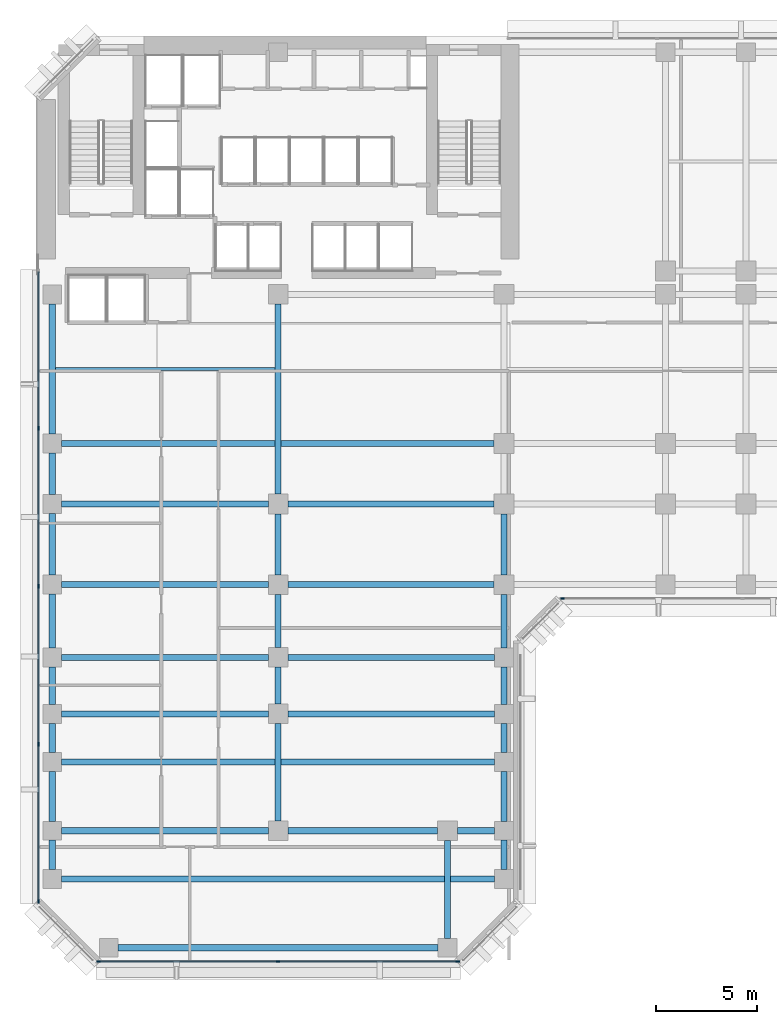
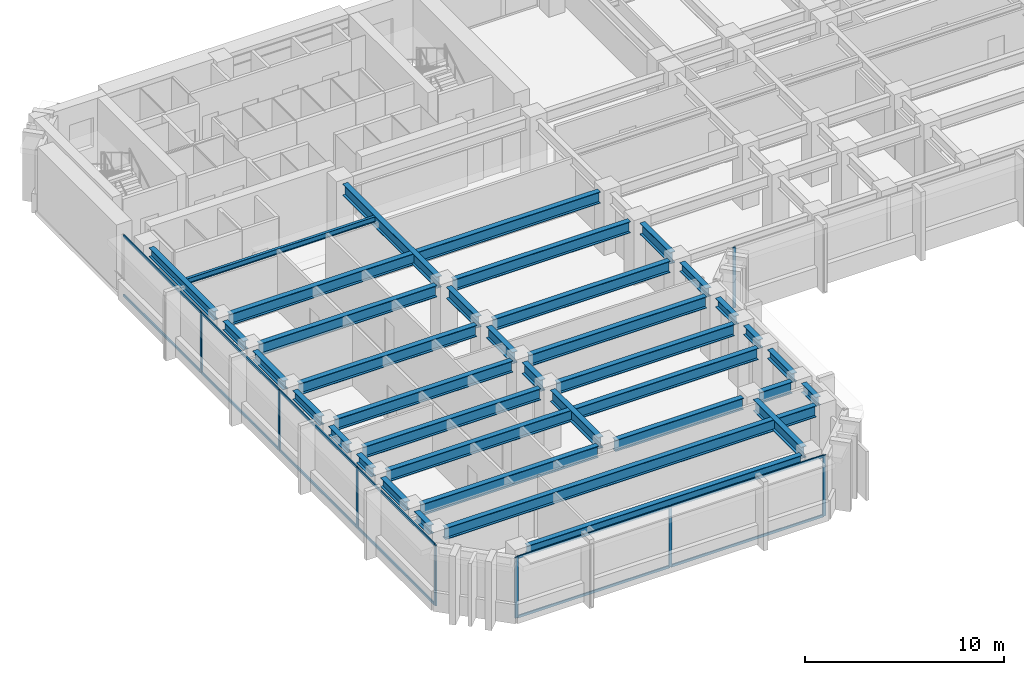
# One storey, part 2 of 14: 36 beams, 20 members, 3 elements without a shape of their own.
"""IFC4 building model written with IfcOpenShell, lengths in metres."""

import ifcopenshell
import ifcopenshell.guid

model = None  # the IFC model being written
_history = None  # IfcOwnerHistory: only IFC2X3 demands one
_inside = {}  # id of a spatial element -> (the spatial element, [elements in it])
_under = {}  # id of a project, library or spatial element -> (it, [spatial elements below it])
_declared = {}  # id of a project -> (the project, [libraries it declares])
_typed = {}  # id of a type object -> (the type object, [elements of that type])
_made_of = {}  # id of a material, layer set ... -> (it, [elements and type objects made of it])


def new_model(schema):
    """Start an empty IFC model of exactly this schema.

    Asked for "IFC4X3", IfcOpenShell would pick the latest addendum, in which some entities
    have other attributes; the version numbers below select the first issue.
    IFC2X3 requires an IfcOwnerHistory on every rooted entity: one is made here for all.
    """
    global model, _history
    if schema == "IFC4X3":
        model = ifcopenshell.file(schema_version=(4, 3, 0, 0))
    else:
        model = ifcopenshell.file(schema=schema)
    _inside.clear()
    _under.clear()
    _declared.clear()
    _typed.clear()
    _made_of.clear()
    _history = None
    if model.schema == "IFC2X3":
        org = make("IfcOrganization", Name="unknown")
        user = make(
            "IfcPersonAndOrganization",
            ThePerson=make("IfcPerson", FamilyName="unknown"),
            TheOrganization=org,
        )
        app = make(
            "IfcApplication",
            ApplicationDeveloper=org,
            Version="unknown",
            ApplicationFullName="unknown",
            ApplicationIdentifier="unknown",
        )
        _history = make(
            "IfcOwnerHistory",
            OwningUser=user,
            OwningApplication=app,
            ChangeAction="ADDED",
            CreationDate=0,
        )
    return model


def make(cls, **values):
    """One entity of the class cls with the attributes given. An attribute that is None is left unset."""
    return model.create_entity(
        cls, **{name: value for name, value in values.items() if value is not None}
    )


def rooted(cls, **values):
    """An entity with a GlobalId (a new one), such as an element, a storey or a relation."""
    return make(cls, GlobalId=ifcopenshell.guid.new(), OwnerHistory=_history, **values)


def si_unit(unit_type, name, prefix=None):
    """IfcSIUnit, for example si_unit("LENGTHUNIT", "METRE", prefix="MILLI")."""
    return make("IfcSIUnit", UnitType=unit_type, Prefix=prefix, Name=name)


def assignment(units):
    """IfcUnitAssignment: the units of a project."""
    return None if units is None else make("IfcUnitAssignment", Units=units)


def point(xyz):
    """IfcCartesianPoint."""
    return None if xyz is None else make("IfcCartesianPoint", Coordinates=xyz)


def direction(xyz):
    """IfcDirection."""
    return None if xyz is None else make("IfcDirection", DirectionRatios=xyz)


def frame(location, z_axis=None, x_axis=None):
    """IfcAxis2Placement3D, a coordinate frame: its origin and axes. An axis left out is left unset."""
    return make(
        "IfcAxis2Placement3D",
        Location=point(location),
        Axis=direction(z_axis),
        RefDirection=direction(x_axis),
    )


def frame_2d(location, x_axis=None):
    """IfcAxis2Placement2D, a coordinate frame in the plane: its origin and x axis."""
    return make(
        "IfcAxis2Placement2D", Location=point(location), RefDirection=direction(x_axis)
    )


def origin():
    """The frame at (0, 0, 0) with its axes left unset."""
    return frame((0.0, 0.0, 0.0))


def origin_2d():
    """The frame at (0, 0) in the plane with its x axis left unset."""
    return frame_2d((0.0, 0.0))


def place(relative_to, where):
    """IfcLocalPlacement: puts the frame where relative to a parent placement (None: the world)."""
    return make(
        "IfcLocalPlacement", PlacementRelTo=relative_to, RelativePlacement=where
    )


def context(
    kind, dimensions, precision=None, world=None, true_north=None, identifier=None
):
    """IfcGeometricRepresentationContext, for example the 3D "Model" context."""
    return make(
        "IfcGeometricRepresentationContext",
        ContextIdentifier=identifier,
        ContextType=kind,
        CoordinateSpaceDimension=dimensions,
        Precision=precision,
        WorldCoordinateSystem=world,
        TrueNorth=true_north,
    )


def subcontext(parent, identifier, kind, view, scale=None):
    """IfcGeometricRepresentationSubContext, for example "Body" below "Model"."""
    return make(
        "IfcGeometricRepresentationSubContext",
        ContextIdentifier=identifier,
        ContextType=kind,
        ParentContext=parent,
        TargetScale=scale,
        TargetView=view,
    )


def project(units=None, contexts=None):
    """IfcProject with its units and contexts."""
    return rooted(
        "IfcProject",
        Name="project",
        RepresentationContexts=contexts,
        UnitsInContext=assignment(units),
    )


def spatial(cls, under=None, at=None, **own):
    """A site, building, storey or space (cls), placed at a placement, below another one or the project."""
    s = rooted(cls, ObjectPlacement=at, **own)
    if under is not None:
        _under.setdefault(under.id(), (under, []))[1].append(s)
    return s


def profile(cls, at=None, kind="AREA", **sizes):
    """A parametric profile (cls). Its sizes go by their IFC names, for example OverallWidth=200.0."""
    return make(cls, ProfileType=kind, Position=at, **sizes)


def rectangle(**sizes):
    """IfcRectangleProfileDef."""
    return profile("IfcRectangleProfileDef", **sizes)


def i_section(**sizes):
    """IfcIShapeProfileDef."""
    return profile("IfcIShapeProfileDef", **sizes)


def extrude(swept, where, along, depth):
    """IfcExtrudedAreaSolid: the profile swept, set in the frame where, extruded along a direction by depth."""
    return make(
        "IfcExtrudedAreaSolid",
        SweptArea=swept,
        Position=where,
        ExtrudedDirection=direction(along),
        Depth=depth,
    )


def shape(context_of_items, identifier, shape_type, items):
    """IfcShapeRepresentation: the items that make up one representation, for example the "Body"."""
    return make(
        "IfcShapeRepresentation",
        ContextOfItems=context_of_items,
        RepresentationIdentifier=identifier,
        RepresentationType=shape_type,
        Items=items,
    )


def material(Name=None, Category=None):
    """IfcMaterial."""
    return make("IfcMaterial", Name=Name, Category=Category)


def layer(
    of_material, thickness, ventilated=None, Name=None, Category=None, Priority=None
):
    """IfcMaterialLayer: one layer of a wall or slab, of a material (None: an air gap)."""
    return make(
        "IfcMaterialLayer",
        Material=of_material,
        LayerThickness=thickness,
        IsVentilated=ventilated,
        Name=Name,
        Category=Category,
        Priority=Priority,
    )


def layer_set(layers, Name=None):
    """IfcMaterialLayerSet."""
    return make("IfcMaterialLayerSet", MaterialLayers=layers, LayerSetName=Name)


def material_profile(
    of_material, cross_section, Name=None, Category=None, Priority=None
):
    """IfcMaterialProfile: a cross section and its material."""
    return make(
        "IfcMaterialProfile",
        Name=Name,
        Material=of_material,
        Profile=cross_section,
        Priority=Priority,
        Category=Category,
    )


def profile_set(profiles, Name=None, composite=None):
    """IfcMaterialProfileSet."""
    return make(
        "IfcMaterialProfileSet",
        Name=Name,
        MaterialProfiles=profiles,
        CompositeProfile=composite,
    )


def made_of(thing, what):
    """Note that an element or type object is made of a material, layer set ...; save() writes the relation."""
    if what is not None:
        _made_of.setdefault(what.id(), (what, []))[1].append(thing)
    return thing


def type_object(cls, material=None, **own):
    """A type object (cls), such as IfcWallType, which elements share."""
    return made_of(rooted(cls, **own), material)


def element(
    cls,
    number,
    at=None,
    inside=None,
    cuts=None,
    type_object=None,
    material=None,
    context=None,
    identifier="Body",
    shape_type=None,
    held_by="IfcProductDefinitionShape",
    body=None,
    shapes=None,
    **own,
):
    """One element of the class cls, such as IfcWall. Its Tag is "e" and its number.

    at: its placement. inside: the storey or other place that contains it. cuts: it is an
    opening in that element (IfcRelVoidsElement). A single representation is given by context,
    identifier, shape_type and body (its items); several are given by shapes. held_by: the class
    of the entity that holds the representations. save() writes the other relations.
    """
    e = rooted(cls, Tag="e%d" % number, ObjectPlacement=at, **own)
    if body is not None:
        shapes = [shape(context, identifier, shape_type, body)]
    if shapes is not None:
        e.Representation = make(held_by, Representations=shapes)
    if inside is not None:
        _inside.setdefault(inside.id(), (inside, []))[1].append(e)
    if cuts is not None:
        rooted(
            "IfcRelVoidsElement", RelatingBuildingElement=cuts, RelatedOpeningElement=e
        )
    if type_object is not None:
        _typed.setdefault(type_object.id(), (type_object, []))[1].append(e)
    return made_of(e, material)


def aggregate(whole, parts):
    """IfcRelAggregates: a whole, such as a stair, and the parts it consists of."""
    return rooted("IfcRelAggregates", RelatingObject=whole, RelatedObjects=parts)


def save(model, path):
    """Write the relations noted so far, then the file.

    IfcRelAggregates (storeys below a building ...), IfcRelContainedInSpatialStructure (elements
    in a storey), IfcRelDefinesByType, IfcRelAssociatesMaterial and IfcRelDeclares: one each for
    every whole, place, type object, material and project.
    """
    for whole, parts in _under.values():
        aggregate(whole, parts)
    for where, things in _inside.values():
        rooted(
            "IfcRelContainedInSpatialStructure",
            RelatedElements=things,
            RelatingStructure=where,
        )
    for kind, things in _typed.values():
        rooted("IfcRelDefinesByType", RelatedObjects=things, RelatingType=kind)
    for what, things in _made_of.values():
        rooted("IfcRelAssociatesMaterial", RelatedObjects=things, RelatingMaterial=what)
    for by, libraries in _declared.values():
        rooted("IfcRelDeclares", RelatingContext=by, RelatedDefinitions=libraries)
    model.write(path)


model = new_model("IFC4")

# Units and contexts
model_context = context("Model", 3, precision=1e-05, world=origin(), true_north=direction((0.0, 1.0)))
body_context = subcontext(model_context, "Body", "Model", "MODEL_VIEW")
ifc_project = project(units=[si_unit("LENGTHUNIT", "METRE"), si_unit("AREAUNIT", "SQUARE_METRE"), si_unit("VOLUMEUNIT", "CUBIC_METRE"), si_unit("PLANEANGLEUNIT", "RADIAN"), si_unit("MASSUNIT", "GRAM", prefix="KILO")], contexts=[model_context])

# Site, building, storey
site_placement = place(None, origin())
site = spatial("IfcSite", under=ifc_project, at=site_placement, CompositionType="ELEMENT")
building_placement = place(site_placement, origin())
building = spatial("IfcBuilding", under=site, at=building_placement, Name="Kefirva Bronze Tower", CompositionType="ELEMENT")
storey_placement = place(building_placement, frame((0.0, 0.0, 42.239990234375)))
storey = spatial("IfcBuildingStorey", under=building, at=storey_placement, Name="L09", CompositionType="ELEMENT", Elevation=42.239990234375)

# Curtain wall, members
ifc_material_1 = material(Name="Bronze anodised aluminium", Category="aluminium")
ifc_layer = layer(ifc_material_1, 0.199951171875, Name="Bronze anodised aluminium")
ifc_layer_set = layer_set([ifc_layer], Name="Bronze anodised aluminium")
curtain_wall_type = type_object("IfcCurtainWallType", Name="Unitised Bronze Ribbon Curtain Wall Zone 1", PredefinedType="USERDEFINED", material=ifc_layer_set)
curtain_wall_1_placement = place(storey_placement, origin())
curtain_wall_1 = element("IfcCurtainWall", 1, at=curtain_wall_1_placement, inside=storey, type_object=curtain_wall_type, Name="L09 Curtain Wall 1", ObjectType="UNITISED CURTAIN WALL", PredefinedType="USERDEFINED")
ifc_material_profile_1 = material_profile(ifc_material_1, rectangle(XDim=0.074951171875, YDim=0.179931640625, at=origin_2d()), Name="ALU 75x180")
ifc_profile_set_1 = profile_set([ifc_material_profile_1], Name="Bronze anodised aluminium")
member_type_1 = type_object("IfcMemberType", Name="Bronze Mullion 75x180", PredefinedType="MULLION", material=ifc_profile_set_1)
member_1_placement = place(storey_placement, frame((3.092529296875, 0.1201171875, 0.0), z_axis=(0.0, 0.0, 1.0), x_axis=(0.0, 1.0, 0.0)))
member_1 = element("IfcMember", 2, at=member_1_placement, type_object=member_type_1, Name="CW-01 mullion 1", PredefinedType="MULLION", context=body_context, shape_type="SweptSolid", body=[
    extrude(rectangle(XDim=0.074951171875, YDim=0.179931640625, at=origin_2d()), origin(), (0.0, 0.0, 1.0), 3.7099609375),
])
member_2_placement = place(storey_placement, frame((12.0, 0.1201171875, 0.0), z_axis=(0.0, 0.0, 1.0), x_axis=(0.0, 1.0, 0.0)))
member_2 = element("IfcMember", 3, at=member_2_placement, type_object=member_type_1, Name="CW-01 mullion 2", PredefinedType="MULLION", context=body_context, shape_type="SweptSolid", body=[
    extrude(rectangle(XDim=0.074951171875, YDim=0.179931640625, at=origin_2d()), origin(), (0.0, 0.0, 1.0), 3.7099609375),
])
member_3_placement = place(storey_placement, frame((20.907470703125, 0.1201171875, 0.0), z_axis=(0.0, 0.0, 1.0), x_axis=(0.0, 1.0, 0.0)))
member_3 = element("IfcMember", 4, at=member_3_placement, type_object=member_type_1, Name="CW-01 mullion 3", PredefinedType="MULLION", context=body_context, shape_type="SweptSolid", body=[
    extrude(rectangle(XDim=0.074951171875, YDim=0.179931640625, at=origin_2d()), origin(), (0.0, 0.0, 1.0), 3.7099609375),
])

# Curtain wall, member
curtain_wall_2_placement = place(storey_placement, origin())
curtain_wall_2 = element("IfcCurtainWall", 5, at=curtain_wall_2_placement, inside=storey, type_object=curtain_wall_type, Name="L09 Curtain Wall 2", ObjectType="UNITISED CURTAIN WALL", PredefinedType="USERDEFINED")
member_4_placement = place(storey_placement, frame((26.092529296875, 18.1201171875, 0.0), z_axis=(0.0, 0.0, 1.0), x_axis=(0.0, 1.0, 0.0)))
member_4 = element("IfcMember", 6, at=member_4_placement, type_object=member_type_1, Name="CW-01 mullion 1", PredefinedType="MULLION", context=body_context, shape_type="SweptSolid", body=[
    extrude(rectangle(XDim=0.074951171875, YDim=0.179931640625, at=origin_2d()), origin(), (0.0, 0.0, 1.0), 3.7099609375),
])
aggregate(curtain_wall_2, [member_4])

# Curtain wall, members
curtain_wall_3_placement = place(storey_placement, origin())
curtain_wall_3 = element("IfcCurtainWall", 7, at=curtain_wall_3_placement, inside=storey, type_object=curtain_wall_type, Name="L09 Curtain Wall 5", ObjectType="UNITISED CURTAIN WALL", PredefinedType="USERDEFINED")
member_5_placement = place(storey_placement, frame((0.1201171875, 26.56005859375, 0.0), z_axis=(0.0, 0.0, 1.0), x_axis=(1.0, 0.0, 0.0)))
member_5 = element("IfcMember", 8, at=member_5_placement, type_object=member_type_1, Name="CW-01 mullion 2", PredefinedType="MULLION", context=body_context, shape_type="SweptSolid", body=[
    extrude(rectangle(XDim=0.074951171875, YDim=0.179931640625, at=origin_2d()), origin(), (0.0, 0.0, 1.0), 3.7099609375),
])
member_6_placement = place(storey_placement, frame((0.1201171875, 18.72509765625, 0.0), z_axis=(0.0, 0.0, 1.0), x_axis=(1.0, 0.0, 0.0)))
member_6 = element("IfcMember", 9, at=member_6_placement, type_object=member_type_1, Name="CW-01 mullion 3", PredefinedType="MULLION", context=body_context, shape_type="SweptSolid", body=[
    extrude(rectangle(XDim=0.074951171875, YDim=0.179931640625, at=origin_2d()), origin(), (0.0, 0.0, 1.0), 3.7099609375),
])
member_7_placement = place(storey_placement, frame((0.1201171875, 10.889892578125, 0.0), z_axis=(0.0, 0.0, 1.0), x_axis=(1.0, 0.0, 0.0)))
member_7 = element("IfcMember", 10, at=member_7_placement, type_object=member_type_1, Name="CW-01 mullion 4", PredefinedType="MULLION", context=body_context, shape_type="SweptSolid", body=[
    extrude(rectangle(XDim=0.074951171875, YDim=0.179931640625, at=origin_2d()), origin(), (0.0, 0.0, 1.0), 3.7099609375),
])
member_8_placement = place(storey_placement, frame((0.1201171875, 3.092529296875, 0.0), z_axis=(0.0, 0.0, 1.0), x_axis=(1.0, 0.0, 0.0)))
member_8 = element("IfcMember", 11, at=member_8_placement, type_object=member_type_1, Name="CW-01 mullion 5", PredefinedType="MULLION", context=body_context, shape_type="SweptSolid", body=[
    extrude(rectangle(XDim=0.074951171875, YDim=0.179931640625, at=origin_2d()), origin(), (0.0, 0.0, 1.0), 3.7099609375),
])

# Member
ifc_material_profile_2 = material_profile(ifc_material_1, rectangle(XDim=0.074951171875, YDim=0.14990234375, at=origin_2d()), Name="ALU 75x150")
ifc_profile_set_2 = profile_set([ifc_material_profile_2], Name="Bronze anodised aluminium")
member_type_2 = type_object("IfcMemberType", Name="Bronze Transom 75x150", PredefinedType="USERDEFINED", material=ifc_profile_set_2)
member_9_placement = place(storey_placement, frame((3.1298828125, 0.1201171875, 0.03759765625), z_axis=(1.0, 0.0, 0.0), x_axis=(0.0, 1.0, 0.0)))
member_9 = element("IfcMember", 12, at=member_9_placement, type_object=member_type_2, Name="CW-01 transom 1.1", ObjectType="TRANSOM", PredefinedType="USERDEFINED", context=body_context, shape_type="SweptSolid", body=[
    extrude(rectangle(XDim=0.074951171875, YDim=0.14990234375, at=origin_2d()), origin(), (0.0, 0.0, 1.0), 8.83251953125),
])

member_10_placement = place(storey_placement, frame((3.1298828125, 0.1201171875, 3.672607421875), z_axis=(1.0, 0.0, 0.0), x_axis=(0.0, 1.0, 0.0)))
member_10 = element("IfcMember", 13, at=member_10_placement, type_object=member_type_2, Name="CW-01 transom 1.2", ObjectType="TRANSOM", PredefinedType="USERDEFINED", context=body_context, shape_type="SweptSolid", body=[
    extrude(rectangle(XDim=0.074951171875, YDim=0.14990234375, at=origin_2d()), origin(), (0.0, 0.0, 1.0), 8.83251953125),
])

member_11_placement = place(storey_placement, frame((12.03759765625, 0.1201171875, 0.03759765625), z_axis=(1.0, 0.0, 0.0), x_axis=(0.0, 1.0, 0.0)))
member_11 = element("IfcMember", 14, at=member_11_placement, type_object=member_type_2, Name="CW-01 transom 2.1", ObjectType="TRANSOM", PredefinedType="USERDEFINED", context=body_context, shape_type="SweptSolid", body=[
    extrude(rectangle(XDim=0.074951171875, YDim=0.14990234375, at=origin_2d()), origin(), (0.0, 0.0, 1.0), 8.83251953125),
])

member_12_placement = place(storey_placement, frame((12.03759765625, 0.1201171875, 3.672607421875), z_axis=(1.0, 0.0, 0.0), x_axis=(0.0, 1.0, 0.0)))
member_12 = element("IfcMember", 15, at=member_12_placement, type_object=member_type_2, Name="CW-01 transom 2.2", ObjectType="TRANSOM", PredefinedType="USERDEFINED", context=body_context, shape_type="SweptSolid", body=[
    extrude(rectangle(XDim=0.074951171875, YDim=0.14990234375, at=origin_2d()), origin(), (0.0, 0.0, 1.0), 8.83251953125),
])

aggregate(curtain_wall_1, [member_1, member_2, member_3, member_9, member_10, member_11, member_12])

member_13_placement = place(storey_placement, frame((0.1201171875, 34.320068359375, 0.03759765625), z_axis=(0.0, -1.0, 0.0), x_axis=(1.0, 0.0, 0.0)))
member_13 = element("IfcMember", 16, at=member_13_placement, type_object=member_type_2, Name="CW-01 transom 1.1", ObjectType="TRANSOM", PredefinedType="USERDEFINED", context=body_context, shape_type="SweptSolid", body=[
    extrude(rectangle(XDim=0.074951171875, YDim=0.14990234375, at=origin_2d()), origin(), (0.0, 0.0, 1.0), 7.72265625),
])

member_14_placement = place(storey_placement, frame((0.1201171875, 34.320068359375, 3.672607421875), z_axis=(0.0, -1.0, 0.0), x_axis=(1.0, 0.0, 0.0)))
member_14 = element("IfcMember", 17, at=member_14_placement, type_object=member_type_2, Name="CW-01 transom 1.2", ObjectType="TRANSOM", PredefinedType="USERDEFINED", context=body_context, shape_type="SweptSolid", body=[
    extrude(rectangle(XDim=0.074951171875, YDim=0.14990234375, at=origin_2d()), origin(), (0.0, 0.0, 1.0), 7.72265625),
])

member_15_placement = place(storey_placement, frame((0.1201171875, 26.5224609375, 0.03759765625), z_axis=(0.0, -1.0, 0.0), x_axis=(1.0, 0.0, 0.0)))
member_15 = element("IfcMember", 18, at=member_15_placement, type_object=member_type_2, Name="CW-01 transom 2.1", ObjectType="TRANSOM", PredefinedType="USERDEFINED", context=body_context, shape_type="SweptSolid", body=[
    extrude(rectangle(XDim=0.074951171875, YDim=0.14990234375, at=origin_2d()), origin(), (0.0, 0.0, 1.0), 7.760009765625),
])

member_16_placement = place(storey_placement, frame((0.1201171875, 26.5224609375, 3.672607421875), z_axis=(0.0, -1.0, 0.0), x_axis=(1.0, 0.0, 0.0)))
member_16 = element("IfcMember", 19, at=member_16_placement, type_object=member_type_2, Name="CW-01 transom 2.2", ObjectType="TRANSOM", PredefinedType="USERDEFINED", context=body_context, shape_type="SweptSolid", body=[
    extrude(rectangle(XDim=0.074951171875, YDim=0.14990234375, at=origin_2d()), origin(), (0.0, 0.0, 1.0), 7.760009765625),
])

member_17_placement = place(storey_placement, frame((0.1201171875, 18.6875, 0.03759765625), z_axis=(0.0, -1.0, 0.0), x_axis=(1.0, 0.0, 0.0)))
member_17 = element("IfcMember", 20, at=member_17_placement, type_object=member_type_2, Name="CW-01 transom 3.1", ObjectType="TRANSOM", PredefinedType="USERDEFINED", context=body_context, shape_type="SweptSolid", body=[
    extrude(rectangle(XDim=0.074951171875, YDim=0.14990234375, at=origin_2d()), origin(), (0.0, 0.0, 1.0), 7.760009765625),
])

member_18_placement = place(storey_placement, frame((0.1201171875, 18.6875, 3.672607421875), z_axis=(0.0, -1.0, 0.0), x_axis=(1.0, 0.0, 0.0)))
member_18 = element("IfcMember", 21, at=member_18_placement, type_object=member_type_2, Name="CW-01 transom 3.2", ObjectType="TRANSOM", PredefinedType="USERDEFINED", context=body_context, shape_type="SweptSolid", body=[
    extrude(rectangle(XDim=0.074951171875, YDim=0.14990234375, at=origin_2d()), origin(), (0.0, 0.0, 1.0), 7.760009765625),
])

member_19_placement = place(storey_placement, frame((0.1201171875, 10.8525390625, 0.03759765625), z_axis=(0.0, -1.0, 0.0), x_axis=(1.0, 0.0, 0.0)))
member_19 = element("IfcMember", 22, at=member_19_placement, type_object=member_type_2, Name="CW-01 transom 4.1", ObjectType="TRANSOM", PredefinedType="USERDEFINED", context=body_context, shape_type="SweptSolid", body=[
    extrude(rectangle(XDim=0.074951171875, YDim=0.14990234375, at=origin_2d()), origin(), (0.0, 0.0, 1.0), 7.72265625),
])

member_20_placement = place(storey_placement, frame((0.1201171875, 10.8525390625, 3.672607421875), z_axis=(0.0, -1.0, 0.0), x_axis=(1.0, 0.0, 0.0)))
member_20 = element("IfcMember", 23, at=member_20_placement, type_object=member_type_2, Name="CW-01 transom 4.2", ObjectType="TRANSOM", PredefinedType="USERDEFINED", context=body_context, shape_type="SweptSolid", body=[
    extrude(rectangle(XDim=0.074951171875, YDim=0.14990234375, at=origin_2d()), origin(), (0.0, 0.0, 1.0), 7.72265625),
])

aggregate(curtain_wall_3, [member_5, member_6, member_7, member_8, member_13, member_14, member_15, member_16, member_17, member_18, member_19, member_20])

# Beams
ifc_material_2 = material(Name="Steel S355", Category="steel")
ifc_material_profile_3 = material_profile(ifc_material_2, i_section(OverallWidth=0.159912109375, OverallDepth=0.330078125, WebThickness=0.007568359375, FlangeThickness=0.011474609375, at=origin_2d()), Name="IPE 330")
ifc_profile_set_3 = profile_set([ifc_material_profile_3], Name="Steel S355")
beam_type_1 = type_object("IfcBeamType", Name="Steel Floor Joist IPE 330", PredefinedType="JOIST", material=ifc_profile_set_3)
beam_1_placement = place(storey_placement, frame((0.949951171875, 29.489990234375, 3.544921875), z_axis=(1.0, 0.0, 0.0), x_axis=(0.0, 1.0, 0.0)))
element("IfcBeam", 24, at=beam_1_placement, inside=storey, type_object=beam_type_1, Name="L09 JST-L09-0-294", PredefinedType="JOIST", context=body_context, shape_type="SweptSolid", body=[
    extrude(i_section(OverallWidth=0.159912109375, OverallDepth=0.330078125, WebThickness=0.007568359375, FlangeThickness=0.011474609375, at=origin_2d()), origin(), (0.0, 0.0, 1.0), 10.900146484375),
])
ifc_material_profile_4 = material_profile(ifc_material_2, i_section(OverallWidth=0.300048828125, OverallDepth=0.699951171875, WebThickness=0.01708984375, FlangeThickness=0.031982421875, at=origin_2d()), Name="HEB 700")
ifc_profile_set_4 = profile_set([ifc_material_profile_4], Name="Steel S355")
beam_type_2 = type_object("IfcBeamType", Name="Steel Girder HEB 700", PredefinedType="USERDEFINED", material=ifc_profile_set_4)
beam_2_placement = place(storey_placement, frame((1.27001953125, 4.199951171875, 3.360107421875), z_axis=(1.0, 0.0, 0.0), x_axis=(0.0, 1.0, 0.0)))
element("IfcBeam", 25, at=beam_2_placement, inside=storey, type_object=beam_type_2, Name="L09 BM-L09-EW-0-42", ObjectType="GIRDER", PredefinedType="USERDEFINED", context=body_context, shape_type="SweptSolid", body=[
    extrude(i_section(OverallWidth=0.300048828125, OverallDepth=0.699951171875, WebThickness=0.01708984375, FlangeThickness=0.031982421875, at=origin_2d()), origin(), (0.0, 0.0, 1.0), 21.4599609375),
])
beam_3_placement = place(storey_placement, frame((1.27001953125, 6.60009765625, 3.360107421875), z_axis=(1.0, 0.0, 0.0), x_axis=(0.0, 1.0, 0.0)))
element("IfcBeam", 26, at=beam_3_placement, inside=storey, type_object=beam_type_2, Name="L09 BM-L09-EW-0-66", ObjectType="GIRDER", PredefinedType="USERDEFINED", context=body_context, shape_type="SweptSolid", body=[
    extrude(i_section(OverallWidth=0.300048828125, OverallDepth=0.699951171875, WebThickness=0.01708984375, FlangeThickness=0.031982421875, at=origin_2d()), origin(), (0.0, 0.0, 1.0), 10.239990234375),
])
beam_4_placement = place(storey_placement, frame((12.489990234375, 6.60009765625, 3.360107421875), z_axis=(1.0, 0.0, 0.0), x_axis=(0.0, 1.0, 0.0)))
element("IfcBeam", 27, at=beam_4_placement, inside=storey, type_object=beam_type_2, Name="L09 BM-L09-EW-12-66", ObjectType="GIRDER", PredefinedType="USERDEFINED", context=body_context, shape_type="SweptSolid", body=[
    extrude(i_section(OverallWidth=0.300048828125, OverallDepth=0.699951171875, WebThickness=0.01708984375, FlangeThickness=0.031982421875, at=origin_2d()), origin(), (0.0, 0.0, 1.0), 7.419921875),
])
beam_5_placement = place(storey_placement, frame((20.889892578125, 6.60009765625, 3.360107421875), z_axis=(1.0, 0.0, 0.0), x_axis=(0.0, 1.0, 0.0)))
element("IfcBeam", 28, at=beam_5_placement, inside=storey, type_object=beam_type_2, Name="L09 BM-L09-EW-20-66", ObjectType="GIRDER", PredefinedType="USERDEFINED", context=body_context, shape_type="SweptSolid", body=[
    extrude(i_section(OverallWidth=0.300048828125, OverallDepth=0.699951171875, WebThickness=0.01708984375, FlangeThickness=0.031982421875, at=origin_2d()), origin(), (0.0, 0.0, 1.0), 1.840087890625),
])
beam_6_placement = place(storey_placement, frame((1.27001953125, 10.0, 3.360107421875), z_axis=(1.0, 0.0, 0.0), x_axis=(0.0, 1.0, 0.0)))
element("IfcBeam", 29, at=beam_6_placement, inside=storey, type_object=beam_type_2, Name="L09 BM-L09-EW-0-100", ObjectType="GIRDER", PredefinedType="USERDEFINED", context=body_context, shape_type="SweptSolid", body=[
    extrude(i_section(OverallWidth=0.300048828125, OverallDepth=0.699951171875, WebThickness=0.01708984375, FlangeThickness=0.031982421875, at=origin_2d()), origin(), (0.0, 0.0, 1.0), 21.4599609375),
])
for number, where, z_axis, x_axis, name in (
    (30, (1.27001953125, 12.39990234375, 3.360107421875), (1.0, 0.0, 0.0), (0.0, 1.0, 0.0), "L09 BM-L09-EW-0-124"),
    (31, (12.489990234375, 12.39990234375, 3.360107421875), (1.0, 0.0, 0.0), (0.0, 1.0, 0.0), "L09 BM-L09-EW-12-124"),
    (32, (1.27001953125, 15.199951171875, 3.360107421875), (1.0, 0.0, 0.0), (0.0, 1.0, 0.0), "L09 BM-L09-EW-0-152"),
    (33, (12.489990234375, 15.199951171875, 3.360107421875), (1.0, 0.0, 0.0), (0.0, 1.0, 0.0), "L09 BM-L09-EW-12-152"),
    (34, (1.27001953125, 18.800048828125, 3.360107421875), (1.0, 0.0, 0.0), (0.0, 1.0, 0.0), "L09 BM-L09-EW-0-188"),
):
    element("IfcBeam", number, at=place(storey_placement, frame(where, z_axis=z_axis, x_axis=x_axis)), inside=storey, type_object=beam_type_2, Name=name, ObjectType="GIRDER", PredefinedType="USERDEFINED", context=body_context, shape_type="SweptSolid", body=[
        extrude(i_section(OverallWidth=0.300048828125, OverallDepth=0.699951171875, WebThickness=0.01708984375, FlangeThickness=0.031982421875, at=origin_2d()), origin(), (0.0, 0.0, 1.0), 10.239990234375),
    ])
beam_7_placement = place(storey_placement, frame((12.489990234375, 18.800048828125, 3.360107421875), z_axis=(1.0, 0.0, 0.0), x_axis=(0.0, 1.0, 0.0)))
element("IfcBeam", 35, at=beam_7_placement, inside=storey, type_object=beam_type_2, Name="L09 BM-L09-EW-12-188", ObjectType="GIRDER", PredefinedType="USERDEFINED", context=body_context, shape_type="SweptSolid", body=[
    extrude(i_section(OverallWidth=0.300048828125, OverallDepth=0.699951171875, WebThickness=0.01708984375, FlangeThickness=0.031982421875, at=origin_2d()), origin(), (0.0, 0.0, 1.0), 10.219970703125),
])
beam_8_placement = place(storey_placement, frame((1.27001953125, 22.800048828125, 3.360107421875), z_axis=(1.0, 0.0, 0.0), x_axis=(0.0, 1.0, 0.0)))
element("IfcBeam", 36, at=beam_8_placement, inside=storey, type_object=beam_type_2, Name="L09 BM-L09-EW-0-228", ObjectType="GIRDER", PredefinedType="USERDEFINED", context=body_context, shape_type="SweptSolid", body=[
    extrude(i_section(OverallWidth=0.300048828125, OverallDepth=0.699951171875, WebThickness=0.01708984375, FlangeThickness=0.031982421875, at=origin_2d()), origin(), (0.0, 0.0, 1.0), 10.239990234375),
])
beam_9_placement = place(storey_placement, frame((12.489990234375, 22.800048828125, 3.360107421875), z_axis=(1.0, 0.0, 0.0), x_axis=(0.0, 1.0, 0.0)))
element("IfcBeam", 37, at=beam_9_placement, inside=storey, type_object=beam_type_2, Name="L09 BM-L09-EW-12-228", ObjectType="GIRDER", PredefinedType="USERDEFINED", context=body_context, shape_type="SweptSolid", body=[
    extrude(i_section(OverallWidth=0.300048828125, OverallDepth=0.699951171875, WebThickness=0.01708984375, FlangeThickness=0.031982421875, at=origin_2d()), origin(), (0.0, 0.0, 1.0), 10.219970703125),
])
beam_10_placement = place(storey_placement, frame((1.27001953125, 25.800048828125, 3.360107421875), z_axis=(1.0, 0.0, 0.0), x_axis=(0.0, 1.0, 0.0)))
element("IfcBeam", 38, at=beam_10_placement, inside=storey, type_object=beam_type_2, Name="L09 BM-L09-EW-0-258", ObjectType="GIRDER", PredefinedType="USERDEFINED", context=body_context, shape_type="SweptSolid", body=[
    extrude(i_section(OverallWidth=0.300048828125, OverallDepth=0.699951171875, WebThickness=0.01708984375, FlangeThickness=0.031982421875, at=origin_2d()), origin(), (0.0, 0.0, 1.0), 21.43994140625),
])
beam_11_placement = place(storey_placement, frame((12.0, 7.090087890625, 3.360107421875), z_axis=(0.0, 1.0, 0.0), x_axis=(-1.0, 0.0, 0.0)))
element("IfcBeam", 39, at=beam_11_placement, inside=storey, type_object=beam_type_2, Name="L09 BM-L09-NS-120-6", ObjectType="GIRDER", PredefinedType="USERDEFINED", context=body_context, shape_type="SweptSolid", body=[
    extrude(i_section(OverallWidth=0.300048828125, OverallDepth=0.699951171875, WebThickness=0.01708984375, FlangeThickness=0.031982421875, at=origin_2d()), origin(), (0.0, 0.0, 1.0), 4.81982421875),
])
beam_12_placement = place(storey_placement, frame((12.0, 12.889892578125, 3.360107421875), z_axis=(0.0, 1.0, 0.0), x_axis=(-1.0, 0.0, 0.0)))
element("IfcBeam", 40, at=beam_12_placement, inside=storey, type_object=beam_type_2, Name="L09 BM-L09-NS-120-12", ObjectType="GIRDER", PredefinedType="USERDEFINED", context=body_context, shape_type="SweptSolid", body=[
    extrude(i_section(OverallWidth=0.300048828125, OverallDepth=0.699951171875, WebThickness=0.01708984375, FlangeThickness=0.031982421875, at=origin_2d()), origin(), (0.0, 0.0, 1.0), 1.820068359375),
])
beam_13_placement = place(storey_placement, frame((12.0, 15.68994140625, 3.360107421875), z_axis=(0.0, 1.0, 0.0), x_axis=(-1.0, 0.0, 0.0)))
element("IfcBeam", 41, at=beam_13_placement, inside=storey, type_object=beam_type_2, Name="L09 BM-L09-NS-120-15", ObjectType="GIRDER", PredefinedType="USERDEFINED", context=body_context, shape_type="SweptSolid", body=[
    extrude(i_section(OverallWidth=0.300048828125, OverallDepth=0.699951171875, WebThickness=0.01708984375, FlangeThickness=0.031982421875, at=origin_2d()), origin(), (0.0, 0.0, 1.0), 2.6201171875),
])
beam_14_placement = place(storey_placement, frame((12.0, 19.2900390625, 3.360107421875), z_axis=(0.0, 1.0, 0.0), x_axis=(-1.0, 0.0, 0.0)))
element("IfcBeam", 42, at=beam_14_placement, inside=storey, type_object=beam_type_2, Name="L09 BM-L09-NS-120-18", ObjectType="GIRDER", PredefinedType="USERDEFINED", context=body_context, shape_type="SweptSolid", body=[
    extrude(i_section(OverallWidth=0.300048828125, OverallDepth=0.699951171875, WebThickness=0.01708984375, FlangeThickness=0.031982421875, at=origin_2d()), origin(), (0.0, 0.0, 1.0), 3.02001953125),
])
beam_15_placement = place(storey_placement, frame((12.0, 23.2900390625, 3.360107421875), z_axis=(0.0, 1.0, 0.0), x_axis=(-1.0, 0.0, 0.0)))
element("IfcBeam", 43, at=beam_15_placement, inside=storey, type_object=beam_type_2, Name="L09 BM-L09-NS-120-22", ObjectType="GIRDER", PredefinedType="USERDEFINED", context=body_context, shape_type="SweptSolid", body=[
    extrude(i_section(OverallWidth=0.300048828125, OverallDepth=0.699951171875, WebThickness=0.01708984375, FlangeThickness=0.031982421875, at=origin_2d()), origin(), (0.0, 0.0, 1.0), 9.419921875),
])
beam_16_placement = place(storey_placement, frame((20.39990234375, 1.27001953125, 3.360107421875), z_axis=(0.0, 1.0, 0.0), x_axis=(-1.0, 0.0, 0.0)))
element("IfcBeam", 44, at=beam_16_placement, inside=storey, type_object=beam_type_2, Name="L09 BM-L09-NS-204-0", ObjectType="GIRDER", PredefinedType="USERDEFINED", context=body_context, shape_type="SweptSolid", body=[
    extrude(i_section(OverallWidth=0.300048828125, OverallDepth=0.699951171875, WebThickness=0.01708984375, FlangeThickness=0.031982421875, at=origin_2d()), origin(), (0.0, 0.0, 1.0), 4.840087890625),
])
beam_17_placement = place(storey_placement, frame((23.199951171875, 19.2900390625, 3.360107421875), z_axis=(0.0, 1.0, 0.0), x_axis=(-1.0, 0.0, 0.0)))
element("IfcBeam", 45, at=beam_17_placement, inside=storey, type_object=beam_type_2, Name="L09 BM-L09-NS-232-18", ObjectType="GIRDER", PredefinedType="USERDEFINED", context=body_context, shape_type="SweptSolid", body=[
    extrude(i_section(OverallWidth=0.300048828125, OverallDepth=0.699951171875, WebThickness=0.01708984375, FlangeThickness=0.031982421875, at=origin_2d()), origin(), (0.0, 0.0, 1.0), 3.02001953125),
])
ifc_material_profile_5 = material_profile(ifc_material_2, i_section(OverallWidth=0.300048828125, OverallDepth=0.550048828125, WebThickness=0.014892578125, FlangeThickness=0.029052734375, at=origin_2d()), Name="HEB 550")
ifc_profile_set_5 = profile_set([ifc_material_profile_5], Name="Steel S355")
beam_type_3 = type_object("IfcBeamType", Name="Steel Spandrel HEB 550 Ext", PredefinedType="SPANDREL", material=ifc_profile_set_5)
beam_18_placement = place(storey_placement, frame((4.070068359375, 0.800048828125, 3.43505859375), z_axis=(1.0, 0.0, 0.0), x_axis=(0.0, 1.0, 0.0)))
element("IfcBeam", 46, at=beam_18_placement, inside=storey, type_object=beam_type_3, Name="L09 BM-L09-EW-3-8", PredefinedType="SPANDREL", context=body_context, shape_type="SweptSolid", body=[
    extrude(i_section(OverallWidth=0.300048828125, OverallDepth=0.550048828125, WebThickness=0.014892578125, FlangeThickness=0.029052734375, at=origin_2d()), origin(), (0.0, 0.0, 1.0), 15.85986328125),
])
beam_19_placement = place(storey_placement, frame((0.800048828125, 4.669921875, 3.43505859375), z_axis=(0.0, 1.0, 0.0), x_axis=(-1.0, 0.0, 0.0)))
element("IfcBeam", 47, at=beam_19_placement, inside=storey, type_object=beam_type_3, Name="L09 BM-L09-NS-8-4", PredefinedType="SPANDREL", context=body_context, shape_type="SweptSolid", body=[
    extrude(i_section(OverallWidth=0.300048828125, OverallDepth=0.550048828125, WebThickness=0.014892578125, FlangeThickness=0.029052734375, at=origin_2d()), origin(), (0.0, 0.0, 1.0), 1.4599609375),
])
beam_20_placement = place(storey_placement, frame((0.800048828125, 7.070068359375, 3.43505859375), z_axis=(0.0, 1.0, 0.0), x_axis=(-1.0, 0.0, 0.0)))
element("IfcBeam", 48, at=beam_20_placement, inside=storey, type_object=beam_type_3, Name="L09 BM-L09-NS-8-6", PredefinedType="SPANDREL", context=body_context, shape_type="SweptSolid", body=[
    extrude(i_section(OverallWidth=0.300048828125, OverallDepth=0.550048828125, WebThickness=0.014892578125, FlangeThickness=0.029052734375, at=origin_2d()), origin(), (0.0, 0.0, 1.0), 2.4599609375),
])
beam_21_placement = place(storey_placement, frame((0.800048828125, 10.469970703125, 3.43505859375), z_axis=(0.0, 1.0, 0.0), x_axis=(-1.0, 0.0, 0.0)))
element("IfcBeam", 49, at=beam_21_placement, inside=storey, type_object=beam_type_3, Name="L09 BM-L09-NS-8-10", PredefinedType="SPANDREL", context=body_context, shape_type="SweptSolid", body=[
    extrude(i_section(OverallWidth=0.300048828125, OverallDepth=0.550048828125, WebThickness=0.014892578125, FlangeThickness=0.029052734375, at=origin_2d()), origin(), (0.0, 0.0, 1.0), 1.4599609375),
])
beam_22_placement = place(storey_placement, frame((0.800048828125, 12.8701171875, 3.43505859375), z_axis=(0.0, 1.0, 0.0), x_axis=(-1.0, 0.0, 0.0)))
element("IfcBeam", 50, at=beam_22_placement, inside=storey, type_object=beam_type_3, Name="L09 BM-L09-NS-8-12", PredefinedType="SPANDREL", context=body_context, shape_type="SweptSolid", body=[
    extrude(i_section(OverallWidth=0.300048828125, OverallDepth=0.550048828125, WebThickness=0.014892578125, FlangeThickness=0.029052734375, at=origin_2d()), origin(), (0.0, 0.0, 1.0), 1.85986328125),
])
beam_23_placement = place(storey_placement, frame((0.800048828125, 15.669921875, 3.43505859375), z_axis=(0.0, 1.0, 0.0), x_axis=(-1.0, 0.0, 0.0)))
element("IfcBeam", 51, at=beam_23_placement, inside=storey, type_object=beam_type_3, Name="L09 BM-L09-NS-8-15", PredefinedType="SPANDREL", context=body_context, shape_type="SweptSolid", body=[
    extrude(i_section(OverallWidth=0.300048828125, OverallDepth=0.550048828125, WebThickness=0.014892578125, FlangeThickness=0.029052734375, at=origin_2d()), origin(), (0.0, 0.0, 1.0), 2.66015625),
])
beam_24_placement = place(storey_placement, frame((0.800048828125, 19.27001953125, 3.43505859375), z_axis=(0.0, 1.0, 0.0), x_axis=(-1.0, 0.0, 0.0)))
element("IfcBeam", 52, at=beam_24_placement, inside=storey, type_object=beam_type_3, Name="L09 BM-L09-NS-8-18", PredefinedType="SPANDREL", context=body_context, shape_type="SweptSolid", body=[
    extrude(i_section(OverallWidth=0.300048828125, OverallDepth=0.550048828125, WebThickness=0.014892578125, FlangeThickness=0.029052734375, at=origin_2d()), origin(), (0.0, 0.0, 1.0), 3.06005859375),
])
beam_25_placement = place(storey_placement, frame((0.800048828125, 23.27001953125, 3.43505859375), z_axis=(0.0, 1.0, 0.0), x_axis=(-1.0, 0.0, 0.0)))
element("IfcBeam", 53, at=beam_25_placement, inside=storey, type_object=beam_type_3, Name="L09 BM-L09-NS-8-22", PredefinedType="SPANDREL", context=body_context, shape_type="SweptSolid", body=[
    extrude(i_section(OverallWidth=0.300048828125, OverallDepth=0.550048828125, WebThickness=0.014892578125, FlangeThickness=0.029052734375, at=origin_2d()), origin(), (0.0, 0.0, 1.0), 2.06005859375),
])
beam_26_placement = place(storey_placement, frame((0.800048828125, 26.27001953125, 3.43505859375), z_axis=(0.0, 1.0, 0.0), x_axis=(-1.0, 0.0, 0.0)))
element("IfcBeam", 54, at=beam_26_placement, inside=storey, type_object=beam_type_3, Name="L09 BM-L09-NS-8-25", PredefinedType="SPANDREL", context=body_context, shape_type="SweptSolid", body=[
    extrude(i_section(OverallWidth=0.300048828125, OverallDepth=0.550048828125, WebThickness=0.014892578125, FlangeThickness=0.029052734375, at=origin_2d()), origin(), (0.0, 0.0, 1.0), 6.4599609375),
])
beam_27_placement = place(storey_placement, frame((23.199951171875, 4.669921875, 3.43505859375), z_axis=(0.0, 1.0, 0.0), x_axis=(-1.0, 0.0, 0.0)))
element("IfcBeam", 55, at=beam_27_placement, inside=storey, type_object=beam_type_3, Name="L09 BM-L09-NS-232-4", PredefinedType="SPANDREL", context=body_context, shape_type="SweptSolid", body=[
    extrude(i_section(OverallWidth=0.300048828125, OverallDepth=0.550048828125, WebThickness=0.014892578125, FlangeThickness=0.029052734375, at=origin_2d()), origin(), (0.0, 0.0, 1.0), 1.4599609375),
])
beam_28_placement = place(storey_placement, frame((23.199951171875, 7.070068359375, 3.43505859375), z_axis=(0.0, 1.0, 0.0), x_axis=(-1.0, 0.0, 0.0)))
element("IfcBeam", 56, at=beam_28_placement, inside=storey, type_object=beam_type_3, Name="L09 BM-L09-NS-232-6", PredefinedType="SPANDREL", context=body_context, shape_type="SweptSolid", body=[
    extrude(i_section(OverallWidth=0.300048828125, OverallDepth=0.550048828125, WebThickness=0.014892578125, FlangeThickness=0.029052734375, at=origin_2d()), origin(), (0.0, 0.0, 1.0), 2.4599609375),
])
beam_29_placement = place(storey_placement, frame((23.199951171875, 10.469970703125, 3.43505859375), z_axis=(0.0, 1.0, 0.0), x_axis=(-1.0, 0.0, 0.0)))
element("IfcBeam", 57, at=beam_29_placement, inside=storey, type_object=beam_type_3, Name="L09 BM-L09-NS-232-10", PredefinedType="SPANDREL", context=body_context, shape_type="SweptSolid", body=[
    extrude(i_section(OverallWidth=0.300048828125, OverallDepth=0.550048828125, WebThickness=0.014892578125, FlangeThickness=0.029052734375, at=origin_2d()), origin(), (0.0, 0.0, 1.0), 1.4599609375),
])
beam_30_placement = place(storey_placement, frame((23.199951171875, 12.8701171875, 3.43505859375), z_axis=(0.0, 1.0, 0.0), x_axis=(-1.0, 0.0, 0.0)))
element("IfcBeam", 58, at=beam_30_placement, inside=storey, type_object=beam_type_3, Name="L09 BM-L09-NS-232-12", PredefinedType="SPANDREL", context=body_context, shape_type="SweptSolid", body=[
    extrude(i_section(OverallWidth=0.300048828125, OverallDepth=0.550048828125, WebThickness=0.014892578125, FlangeThickness=0.029052734375, at=origin_2d()), origin(), (0.0, 0.0, 1.0), 1.85986328125),
])
beam_31_placement = place(storey_placement, frame((23.199951171875, 15.669921875, 3.43505859375), z_axis=(0.0, 1.0, 0.0), x_axis=(-1.0, 0.0, 0.0)))
element("IfcBeam", 59, at=beam_31_placement, inside=storey, type_object=beam_type_3, Name="L09 BM-L09-NS-232-15", PredefinedType="SPANDREL", context=body_context, shape_type="SweptSolid", body=[
    extrude(i_section(OverallWidth=0.300048828125, OverallDepth=0.550048828125, WebThickness=0.014892578125, FlangeThickness=0.029052734375, at=origin_2d()), origin(), (0.0, 0.0, 1.0), 2.64013671875),
])

save(model, "model.ifc")
